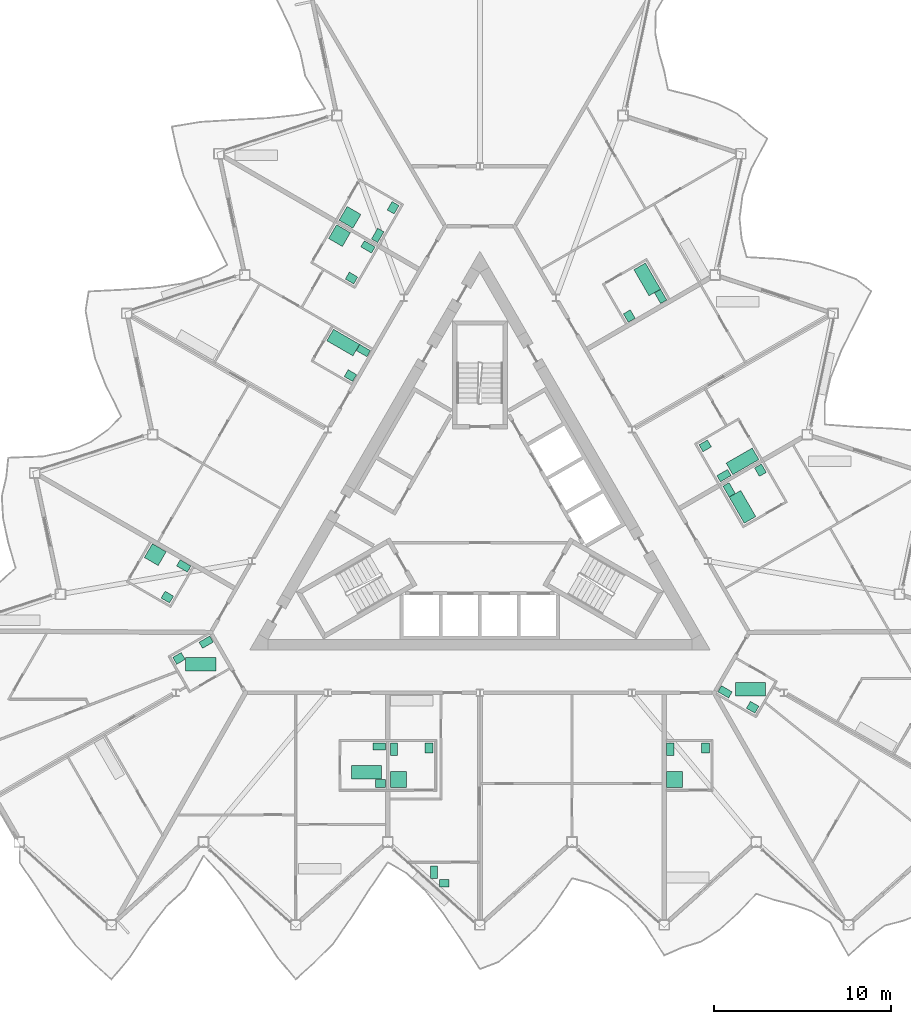
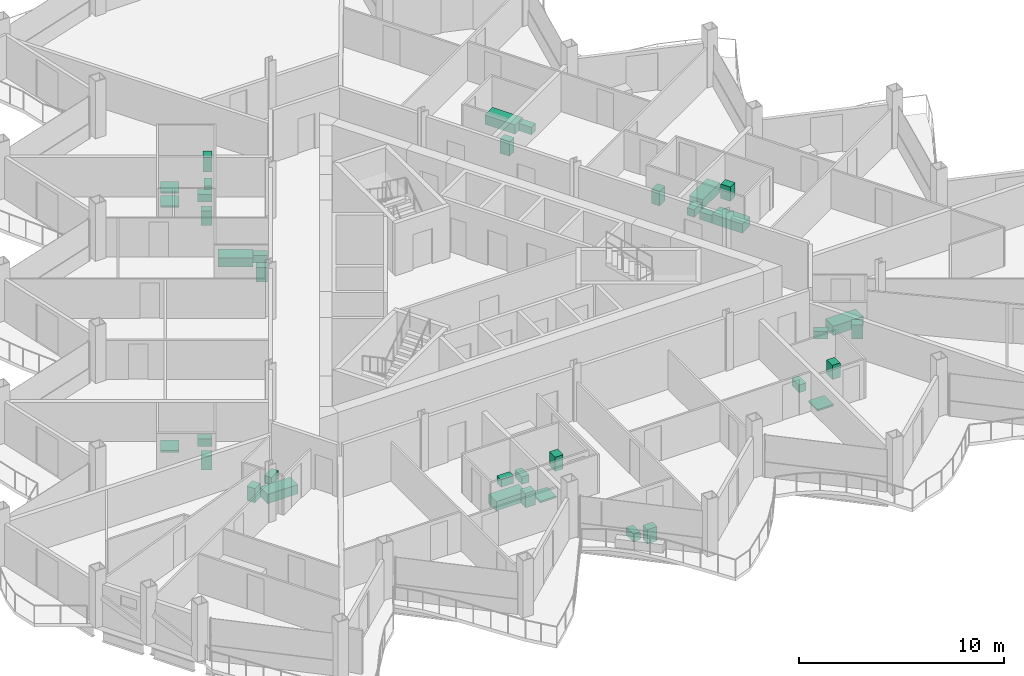
# One storey, part 25 of 26: 38 sanitary terminals.
"""IFC4 building model written with IfcOpenShell, lengths in metres."""

from ifc_helpers import new_model, si_unit, direction, frame, origin, origin_2d, place, context, subcontext, project, spatial, rectangle, extrude, material, type_object, element, save


model = new_model("IFC4")

# Units and contexts
model_context = context("Model", 3, precision=1e-05, world=origin(), true_north=direction((0.0, 1.0)))
body_context = subcontext(model_context, "Body", "Model", "MODEL_VIEW")
ifc_project = project(units=[si_unit("LENGTHUNIT", "METRE"), si_unit("AREAUNIT", "SQUARE_METRE"), si_unit("VOLUMEUNIT", "CUBIC_METRE"), si_unit("PLANEANGLEUNIT", "RADIAN"), si_unit("MASSUNIT", "GRAM", prefix="KILO")], contexts=[model_context])

# Site, building, storey
site_placement = place(None, origin())
site = spatial("IfcSite", under=ifc_project, at=site_placement, CompositionType="ELEMENT")
building_placement = place(site_placement, origin())
building = spatial("IfcBuilding", under=site, at=building_placement, Name="Cormorant Prow Tower", CompositionType="ELEMENT")
storey_placement = place(building_placement, frame((0.0, 0.0, 342.60009765625)))
storey = spatial("IfcBuildingStorey", under=building, at=storey_placement, Name="L77", CompositionType="ELEMENT", Elevation=342.60009765625)

# Sanitary terminals
ifc_material_1 = material(Name="Vitreous china")
sanitary_terminal_type_1 = type_object("IfcSanitaryTerminalType", Name="Bath 1700x750", PredefinedType="BATH", material=ifc_material_1)
for number, where, z_axis, x_axis, name in (
    (1, (-6.402587890625, -14.385498046875, 0.0), (0.0, 0.0, 1.0), (1.0, 0.0, 0.0), "Bath"),
    (2, (15.2607421875, -9.70068359375, 0.0), (0.0, 0.0, 1.0), (1.0, 0.0, 0.0), "Bath"),
    (3, (14.818359375, 0.5849609375, 0.0), (0.0, 0.0, 1.0), (-0.5, 0.866025403784, 0.0), "Bath"),
    (4, (14.818603515625, 3.154296875, 0.0), (0.0, 0.0, 1.0), (-0.866025403784, -0.5, 0.0), "Bath"),
    (5, (9.43994140625, 13.42041015625, 0.0), (0.0, 0.0, 1.0), (0.5, -0.866025403784, 0.0), "Bath"),
    (6, (-7.71630859375, 9.856201171875, 0.0), (0.0, 0.0, 1.0), (0.866025403784, -0.5, 0.0), "Bath"),
    (7, (-15.75244140625, -8.29248046875, 0.0), (0.0, 0.0, 1.0), (1.0, 0.0, 0.0), "Bath"),
):
    element("IfcSanitaryTerminal", number, at=place(storey_placement, frame(where, z_axis=z_axis, x_axis=x_axis)), inside=storey, type_object=sanitary_terminal_type_1, Name=name, PredefinedType="BATH", context=body_context, shape_type="SweptSolid", body=[
        extrude(rectangle(XDim=1.699951171875, YDim=0.75, at=origin_2d()), origin(), (0.0, 0.0, 1.0), 0.550048828125),
    ])
ifc_material_2 = material(Name="Vitreous china")
sanitary_terminal_type_2 = type_object("IfcSanitaryTerminalType", Name="Shower tray 900x900", PredefinedType="SHOWER", material=ifc_material_2)
for number, where, z_axis, x_axis, name in (
    (8, (-4.6025390625, -14.810546875, -0.000244140625), (0.0, 0.0, 1.0), (0.0, 1.0, 0.0), "Shower tray"),
    (9, (10.989990234375, -14.810546875, -0.000244140625), (0.0, 0.0, 1.0), (0.0, 1.0, 0.0), "Shower tray"),
    (10, (-7.331298828125, 16.9228515625, -0.000244140625), (0.0, 0.0, 1.0), (0.5, 0.866025403784, 0.0), "Shower tray"),
    (11, (-7.92626953125, 15.892333984375, -0.000244140625), (0.0, 0.0, 1.0), (0.866025403784, -0.5, 0.0), "Shower tray"),
    (12, (-18.3212890625, -2.1123046875, -0.000244140625), (0.0, 0.0, 1.0), (0.866025403784, -0.5, 0.0), "Shower tray"),
):
    element("IfcSanitaryTerminal", number, at=place(storey_placement, frame(where, z_axis=z_axis, x_axis=x_axis)), inside=storey, type_object=sanitary_terminal_type_2, Name=name, PredefinedType="SHOWER", context=body_context, shape_type="SweptSolid", body=[
        extrude(rectangle(XDim=0.89990234375, YDim=0.89990234375, at=origin_2d()), origin(), (0.0, 0.0, 1.0), 0.10009765625),
    ])
ifc_material_3 = material(Name="Vitreous china")
sanitary_terminal_type_3 = type_object("IfcSanitaryTerminalType", Name="Wash basin 550x450", PredefinedType="WASHHANDBASIN", material=ifc_material_3)
for number, where, z_axis, x_axis, name in (
    (13, (-5.617431640625, -15.03564453125, -0.000244140625), (0.0, 0.0, 1.0), (-1.0, 0.0, 0.0), "Wash basin"),
    (14, (-2.009033203125, -20.656982421875, -0.000244140625), (0.0, 0.0, 1.0), (1.0, 0.0, 0.0), "Wash basin"),
    (15, (-2.867431640625, -13.025634765625, -0.000244140625), (0.0, 0.0, 1.0), (0.0, -1.0, 0.0), "Wash basin"),
    (16, (12.72509765625, -13.025634765625, -0.000244140625), (0.0, 0.0, 1.0), (0.0, -1.0, 0.0), "Wash basin"),
    (17, (15.390380859375, -10.72509765625, -0.000244140625), (0.0, 0.0, 1.0), (-0.866025403784, 0.5, 0.0), "Wash basin"),
    (18, (15.829833984375, 2.65283203125, -0.000244140625), (0.0, 0.0, 1.0), (0.5, -0.866025403784, 0.0), "Wash basin"),
    (19, (12.714111328125, 4.029296875, -0.000244140625), (0.0, 0.0, 1.0), (0.866025403784, 0.5, 0.0), "Wash basin"),
    (20, (8.428466796875, 11.352783203125, -0.000244140625), (0.0, 0.0, 1.0), (-0.5, 0.866025403784, 0.0), "Wash basin"),
    (21, (-4.899658203125, 17.464599609375, -0.000244140625), (0.0, 0.0, 1.0), (-0.5, -0.866025403784, 0.0), "Wash basin"),
    (22, (-7.308349609375, 7.992431640625, -0.000244140625), (0.0, 0.0, 1.0), (-0.866025403784, 0.5, 0.0), "Wash basin"),
    (23, (-7.247802734375, 13.497314453125, -0.000244140625), (0.0, 0.0, 1.0), (-0.866025403784, 0.5, 0.0), "Wash basin"),
    (24, (-17.64306640625, -4.50732421875, -0.000244140625), (0.0, 0.0, 1.0), (-0.866025403784, 0.5, 0.0), "Wash basin"),
    (25, (-16.9833984375, -7.966064453125, -0.000244140625), (0.0, 0.0, 1.0), (0.866025403784, 0.5, 0.0), "Wash basin"),
):
    element("IfcSanitaryTerminal", number, at=place(storey_placement, frame(where, z_axis=z_axis, x_axis=x_axis)), inside=storey, type_object=sanitary_terminal_type_3, Name=name, PredefinedType="WASHHANDBASIN", context=body_context, shape_type="SweptSolid", body=[
        extrude(rectangle(XDim=0.550048828125, YDim=0.449951171875, at=origin_2d()), origin(), (0.0, 0.0, 1.0), 0.85009765625),
    ])
ifc_material_4 = material(Name="Vitreous china")
sanitary_terminal_type_4 = type_object("IfcSanitaryTerminalType", Name="Water closet 400x700", PredefinedType="WCSEAT", material=ifc_material_4)
for number, where, z_axis, x_axis, name in (
    (26, (-5.6923828125, -12.95068359375, 0.0), (0.0, 0.0, 1.0), (0.0, -1.0, 0.0), "Water closet"),
    (27, (-2.583984375, -20.031982421875, 0.0), (0.0, 0.0, 1.0), (1.0, 0.0, 0.0), "Water closet"),
    (28, (-4.8525390625, -13.1005859375, 0.0), (0.0, 0.0, 1.0), (1.0, 0.0, 0.0), "Water closet"),
    (29, (10.739990234375, -13.1005859375, 0.0), (0.0, 0.0, 1.0), (1.0, 0.0, 0.0), "Water closet"),
    (30, (13.83203125, -9.854248046875, 0.0), (0.0, 0.0, 1.0), (0.5, 0.866025403784, 0.0), "Water closet"),
    (31, (14.061767578125, 1.54541015625, 0.0), (0.0, 0.0, 1.0), (0.866025403784, 0.5, 0.0), "Water closet"),
    (32, (13.771728515625, 2.347900390625, 0.0), (0.0, 0.0, 1.0), (-0.5, 0.866025403784, 0.0), "Water closet"),
    (33, (10.196533203125, 12.460205078125, 0.0), (0.0, 0.0, 1.0), (-0.866025403784, -0.5, 0.0), "Water closet"),
    (34, (-5.7705078125, 15.90625, 0.0), (0.0, 0.0, 1.0), (-0.866025403784, 0.5, 0.0), "Water closet"),
    (35, (-6.580810546875, 9.402587890625, 0.0), (0.0, 0.0, 1.0), (-0.5, -0.866025403784, 0.0), "Water closet"),
    (36, (-6.3203125, 15.25390625, 0.0), (0.0, 0.0, 1.0), (-0.5, -0.866025403784, 0.0), "Water closet"),
    (37, (-16.71533203125, -2.7509765625, 0.0), (0.0, 0.0, 1.0), (-0.5, -0.866025403784, 0.0), "Water closet"),
    (38, (-15.4501953125, -7.0517578125, 0.0), (0.0, 0.0, 1.0), (0.5, -0.866025403784, 0.0), "Water closet"),
):
    element("IfcSanitaryTerminal", number, at=place(storey_placement, frame(where, z_axis=z_axis, x_axis=x_axis)), inside=storey, type_object=sanitary_terminal_type_4, Name=name, PredefinedType="WCSEAT", context=body_context, shape_type="SweptSolid", body=[
        extrude(rectangle(XDim=0.39990234375, YDim=0.699951171875, at=origin_2d()), origin(), (0.0, 0.0, 1.0), 0.449951171875),
    ])

save(model, "model.ifc")
